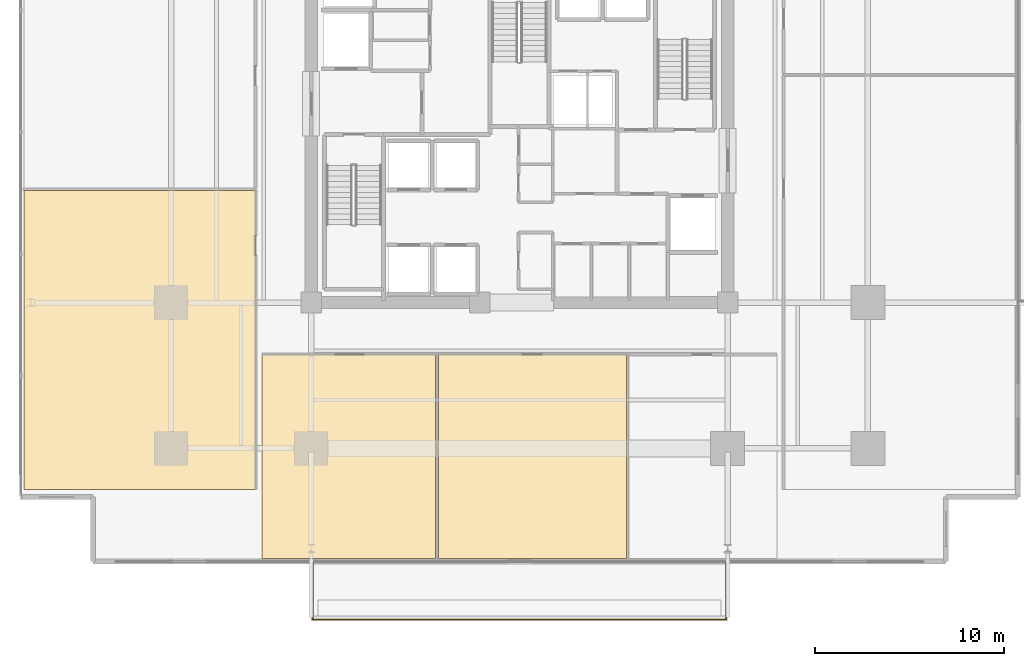
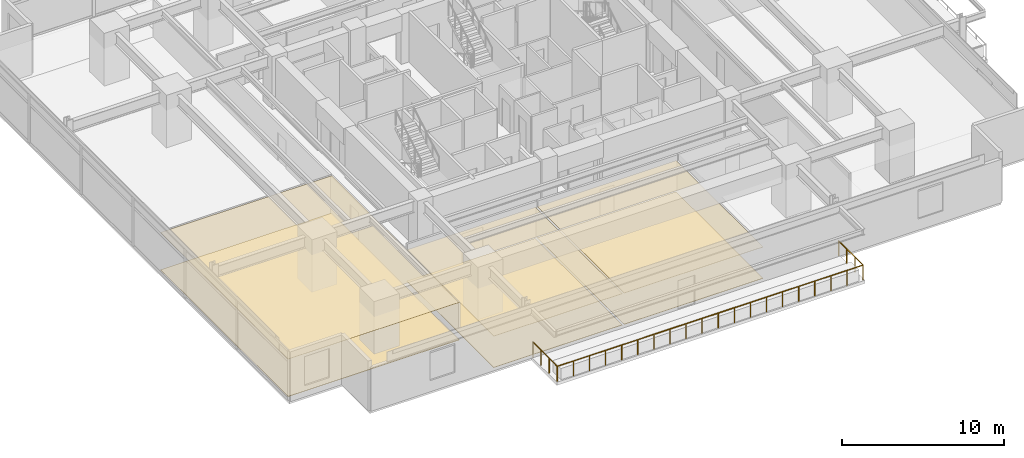
# One storey, part 17 of 21: 6 coverings, 1 railing.
"""IFC4 building model written with IfcOpenShell, lengths in metres."""

from ifc_helpers import new_model, si_unit, direction, frame, origin, origin_2d, place, context, subcontext, project, spatial, polyline, circle, outline, extrude, material, layer, layer_set, type_object, element, save


model = new_model("IFC4")

# Units and contexts
model_context = context("Model", 3, precision=1e-05, world=origin(), true_north=direction((0.0, 1.0)))
body_context = subcontext(model_context, "Body", "Model", "MODEL_VIEW")
ifc_project = project(units=[si_unit("LENGTHUNIT", "METRE"), si_unit("AREAUNIT", "SQUARE_METRE"), si_unit("VOLUMEUNIT", "CUBIC_METRE"), si_unit("PLANEANGLEUNIT", "RADIAN"), si_unit("MASSUNIT", "GRAM", prefix="KILO")], contexts=[model_context])

# Site, building, storey
site_placement = place(None, origin())
site = spatial("IfcSite", under=ifc_project, at=site_placement, CompositionType="ELEMENT")
building_placement = place(site_placement, origin())
building = spatial("IfcBuilding", under=site, at=building_placement, Name="Kovane Verandah Tower", CompositionType="ELEMENT")
storey_placement = place(building_placement, frame((0.0, 0.0, 87.60009765625)))
storey = spatial("IfcBuildingStorey", under=building, at=storey_placement, Name="L20", CompositionType="ELEMENT", Elevation=87.60009765625)

# Coverings
ifc_material_1 = material(Name="Perforated Acoustic Mineral-Fibre Ceiling Tile", Category="gypsum")
ifc_layer_1 = layer(ifc_material_1, 0.02490234375)
ifc_layer_set_1 = layer_set([ifc_layer_1], Name="Perforated Acoustic Mineral-Fibre Ceiling Tile")
covering_type_1 = type_object("IfcCoveringType", Name="CV-CEIL-25", PredefinedType="CEILING", material=ifc_layer_set_1)
covering_1_placement = place(storey_placement, frame((0.0, 0.0, 2.364990234375)))
element("IfcCovering", 1, at=covering_1_placement, inside=storey, type_object=covering_type_1, Name="L20 Client Boardroom S1 Acoustic Ceiling", PredefinedType="CEILING", context=body_context, shape_type="SweptSolid", body=[
    extrude(outline(polyline([(26.39990234375, 4.97900390625), (35.577880859375, 4.97900390625), (35.577880859375, 15.75), (26.39990234375, 15.75), (26.39990234375, 4.97900390625)])), origin(), (0.0, 0.0, 1.0), 0.02490234375),
])
covering_2_placement = place(storey_placement, frame((0.0, 0.0, 2.364990234375)))
element("IfcCovering", 2, at=covering_2_placement, inside=storey, type_object=covering_type_1, Name="L20 Meeting Room S2 Acoustic Ceiling", PredefinedType="CEILING", context=body_context, shape_type="SweptSolid", body=[
    extrude(outline(polyline([(35.718017578125, 4.97900390625), (45.64208984375, 4.97900390625), (45.64208984375, 15.75), (35.718017578125, 15.75), (35.718017578125, 4.97900390625)])), origin(), (0.0, 0.0, 1.0), 0.02490234375),
])
covering_3_placement = place(storey_placement, frame((0.0, 0.0, 2.824951171875)))
element("IfcCovering", 3, at=covering_3_placement, inside=storey, type_object=covering_type_1, Name="L20 Breakout Pantry W1 Acoustic Ceiling", PredefinedType="CEILING", context=body_context, shape_type="SweptSolid", body=[
    extrude(outline(polyline([(13.820068359375, 8.629150390625), (26.050048828125, 8.629150390625), (26.050048828125, 24.41064453125), (13.820068359375, 24.41064453125), (13.820068359375, 8.629150390625)])), origin(), (0.0, 0.0, 1.0), 0.02490234375),
])
ifc_material_2 = material(Name="Polished Terrazzo and Raised-Access Carpet Tile Finish", Category="concrete")
ifc_layer_2 = layer(ifc_material_2, 0.030029296875)
ifc_layer_set_2 = layer_set([ifc_layer_2], Name="Polished Terrazzo and Raised-Access Carpet Tile Finish")
covering_type_2 = type_object("IfcCoveringType", Name="CV-FLOR-30", PredefinedType="FLOORING", material=ifc_layer_set_2)
covering_4_placement = place(storey_placement, origin())
element("IfcCovering", 4, at=covering_4_placement, inside=storey, type_object=covering_type_2, Name="L20 Client Boardroom S1 Floor Finish", PredefinedType="FLOORING", context=body_context, shape_type="SweptSolid", body=[
    extrude(outline(polyline([(26.39990234375, 4.97900390625), (35.577880859375, 4.97900390625), (35.577880859375, 15.75), (26.39990234375, 15.75), (26.39990234375, 4.97900390625)])), origin(), (0.0, 0.0, 1.0), 0.02978515625),
])
covering_5_placement = place(storey_placement, origin())
element("IfcCovering", 5, at=covering_5_placement, inside=storey, type_object=covering_type_2, Name="L20 Meeting Room S2 Floor Finish", PredefinedType="FLOORING", context=body_context, shape_type="SweptSolid", body=[
    extrude(outline(polyline([(35.718017578125, 4.97900390625), (45.64208984375, 4.97900390625), (45.64208984375, 15.75), (35.718017578125, 15.75), (35.718017578125, 4.97900390625)])), origin(), (0.0, 0.0, 1.0), 0.02978515625),
])
covering_6_placement = place(storey_placement, origin())
element("IfcCovering", 6, at=covering_6_placement, inside=storey, type_object=covering_type_2, Name="L20 Breakout Pantry W1 Floor Finish", PredefinedType="FLOORING", context=body_context, shape_type="SweptSolid", body=[
    extrude(outline(polyline([(13.820068359375, 8.629150390625), (26.050048828125, 8.629150390625), (26.050048828125, 24.41064453125), (13.820068359375, 24.41064453125), (13.820068359375, 8.629150390625)])), origin(), (0.0, 0.0, 1.0), 0.02978515625),
])

# Railing
ifc_material_3 = material(Name="Laminated Glass and Pale-Champagne Stainless Balustrade", Category="glass")
railing_type = type_object("IfcRailingType", Name="RL-BAL-1150", PredefinedType="BALUSTRADE", material=ifc_material_3)
railing_placement = place(storey_placement, frame((29.080078125, 4.779052734375, 0.0)))
element("IfcRailing", 7, at=railing_placement, inside=storey, type_object=railing_type, Name="L20 S Verandah Glass Balustrade", PredefinedType="BALUSTRADE", context=body_context, shape_type="SweptSolid", body=[
    extrude(circle(Radius=0.02392578125, at=origin_2d()), frame((0.0, 0.0, 1.1259765625), z_axis=(0.0, -1.0, 0.0), x_axis=(1.0, 0.0, 0.0)), (0.0, 0.0, 1.0), 3.02001953125),
    extrude(circle(Radius=0.02392578125, at=origin_2d()), frame((0.0, -3.02001953125, 1.1259765625), z_axis=(1.0, 0.0, 0.0), x_axis=(0.0, 1.0, 0.0)), (0.0, 0.0, 1.0), 21.83984375),
    extrude(circle(Radius=0.02392578125, at=origin_2d()), frame((21.83984375, -3.02001953125, 1.1259765625), z_axis=(0.0, 1.0, 0.0), x_axis=(-1.0, 0.0, 0.0)), (0.0, 0.0, 1.0), 3.02001953125),
    extrude(circle(Radius=0.02099609375, at=origin_2d()), origin(), (0.0, 0.0, 1.0), 1.101806640625),
    extrude(circle(Radius=0.02099609375, at=origin_2d()), frame((0.0, -1.006591796875, 0.0)), (0.0, 0.0, 1.0), 1.101806640625),
    extrude(circle(Radius=0.02099609375, at=origin_2d()), frame((0.0, -2.013427734375, 0.0)), (0.0, 0.0, 1.0), 1.101806640625),
    extrude(circle(Radius=0.02099609375, at=origin_2d()), frame((0.0, -3.02001953125, 0.0)), (0.0, 0.0, 1.0), 1.101806640625),
    extrude(circle(Radius=0.02099609375, at=origin_2d()), frame((1.1494140625, -3.02001953125, 0.0)), (0.0, 0.0, 1.0), 1.101806640625),
    extrude(circle(Radius=0.02099609375, at=origin_2d()), frame((2.298828125, -3.02001953125, 0.0)), (0.0, 0.0, 1.0), 1.101806640625),
    extrude(circle(Radius=0.02099609375, at=origin_2d()), frame((3.448486328125, -3.02001953125, 0.0)), (0.0, 0.0, 1.0), 1.101806640625),
    extrude(circle(Radius=0.02099609375, at=origin_2d()), frame((4.597900390625, -3.02001953125, 0.0)), (0.0, 0.0, 1.0), 1.101806640625),
    extrude(circle(Radius=0.02099609375, at=origin_2d()), frame((5.747314453125, -3.02001953125, 0.0)), (0.0, 0.0, 1.0), 1.101806640625),
    extrude(circle(Radius=0.02099609375, at=origin_2d()), frame((6.896728515625, -3.02001953125, 0.0)), (0.0, 0.0, 1.0), 1.101806640625),
    extrude(circle(Radius=0.02099609375, at=origin_2d()), frame((8.046142578125, -3.02001953125, 0.0)), (0.0, 0.0, 1.0), 1.101806640625),
    extrude(circle(Radius=0.02099609375, at=origin_2d()), frame((9.19580078125, -3.02001953125, 0.0)), (0.0, 0.0, 1.0), 1.101806640625),
    extrude(circle(Radius=0.02099609375, at=origin_2d()), frame((10.34521484375, -3.02001953125, 0.0)), (0.0, 0.0, 1.0), 1.101806640625),
    extrude(circle(Radius=0.02099609375, at=origin_2d()), frame((11.49462890625, -3.02001953125, 0.0)), (0.0, 0.0, 1.0), 1.101806640625),
    extrude(circle(Radius=0.02099609375, at=origin_2d()), frame((12.64404296875, -3.02001953125, 0.0)), (0.0, 0.0, 1.0), 1.101806640625),
    extrude(circle(Radius=0.02099609375, at=origin_2d()), frame((13.793701171875, -3.02001953125, 0.0)), (0.0, 0.0, 1.0), 1.101806640625),
    extrude(circle(Radius=0.02099609375, at=origin_2d()), frame((14.943115234375, -3.02001953125, 0.0)), (0.0, 0.0, 1.0), 1.101806640625),
    extrude(circle(Radius=0.02099609375, at=origin_2d()), frame((16.092529296875, -3.02001953125, 0.0)), (0.0, 0.0, 1.0), 1.101806640625),
    extrude(circle(Radius=0.02099609375, at=origin_2d()), frame((17.241943359375, -3.02001953125, 0.0)), (0.0, 0.0, 1.0), 1.101806640625),
    extrude(circle(Radius=0.02099609375, at=origin_2d()), frame((18.391357421875, -3.02001953125, 0.0)), (0.0, 0.0, 1.0), 1.101806640625),
    extrude(circle(Radius=0.02099609375, at=origin_2d()), frame((19.541015625, -3.02001953125, 0.0)), (0.0, 0.0, 1.0), 1.101806640625),
    extrude(circle(Radius=0.02099609375, at=origin_2d()), frame((20.6904296875, -3.02001953125, 0.0)), (0.0, 0.0, 1.0), 1.101806640625),
    extrude(circle(Radius=0.02099609375, at=origin_2d()), frame((21.83984375, -3.02001953125, 0.0)), (0.0, 0.0, 1.0), 1.101806640625),
    extrude(circle(Radius=0.02099609375, at=origin_2d()), frame((21.83984375, -2.013427734375, 0.0)), (0.0, 0.0, 1.0), 1.101806640625),
    extrude(circle(Radius=0.02099609375, at=origin_2d()), frame((21.83984375, -1.006591796875, 0.0)), (0.0, 0.0, 1.0), 1.101806640625),
    extrude(circle(Radius=0.02099609375, at=origin_2d()), frame((21.83984375, 0.0, 0.0)), (0.0, 0.0, 1.0), 1.101806640625),
])

save(model, "model.ifc")
